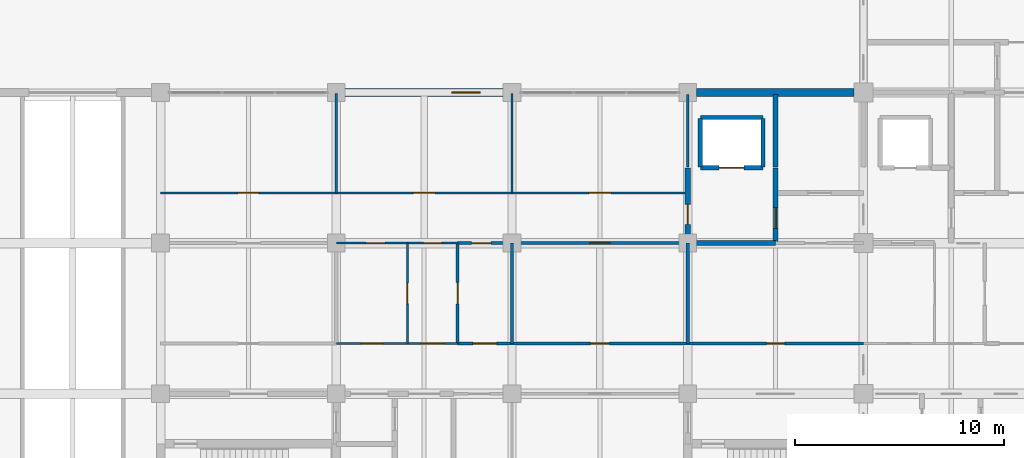
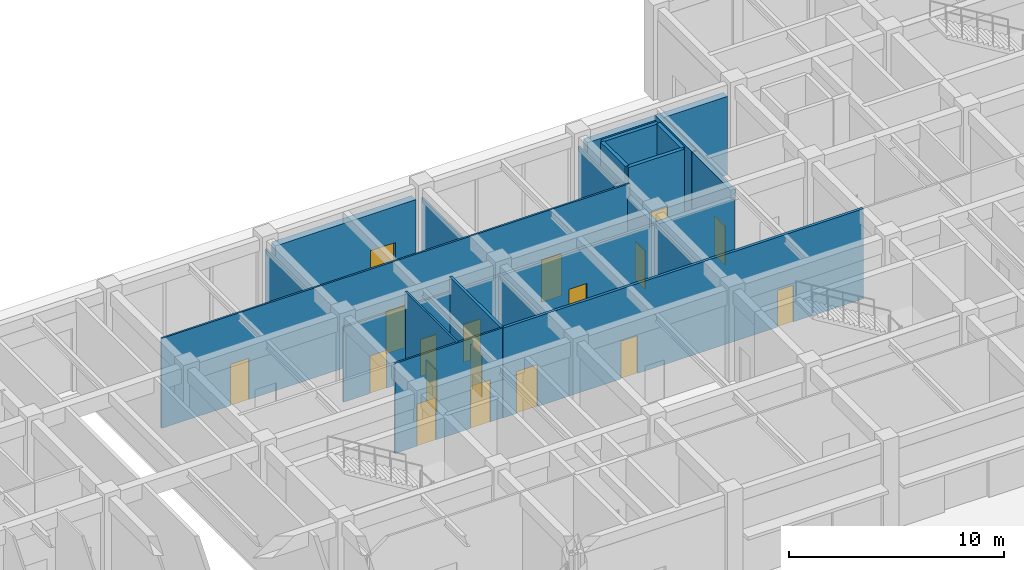
# One storey, part 44 of 73: 22 walls, 17 doors, 1 window, 18 openings.
"""IFC4 building model written with IfcOpenShell, lengths in metres."""

from ifc_helpers import new_model, si_unit, direction, frame, frame_2d, origin, place, context, subcontext, project, spatial, rectangle, extrude, material, layer, layer_set, type_object, element, fill, save


model = new_model("IFC4")

# Units and contexts
model_context = context("Model", 3, precision=1e-05, world=origin(), true_north=direction((0.0, 1.0)))
body_context = subcontext(model_context, "Body", "Model", "MODEL_VIEW")
ifc_project = project(units=[si_unit("LENGTHUNIT", "METRE"), si_unit("AREAUNIT", "SQUARE_METRE"), si_unit("VOLUMEUNIT", "CUBIC_METRE"), si_unit("PLANEANGLEUNIT", "RADIAN"), si_unit("MASSUNIT", "GRAM", prefix="KILO")], contexts=[model_context])

# Site, building, storey
site_placement = place(None, origin())
site = spatial("IfcSite", under=ifc_project, at=site_placement, CompositionType="ELEMENT")
building_placement = place(site_placement, origin())
building = spatial("IfcBuilding", under=site, at=building_placement, Name="Chengyuan Square Courthouse", CompositionType="ELEMENT")
storey_placement = place(building_placement, origin())
storey = spatial("IfcBuildingStorey", under=building, at=storey_placement, Name="L01", CompositionType="ELEMENT", Elevation=0.0)

# Wall, opening, window
ifc_material_1 = material(Name="Concrete C40", Category="concrete")
ifc_layer_1 = layer(ifc_material_1, 0.3798828125)
ifc_layer_set_1 = layer_set([ifc_layer_1], Name="Concrete C40")
wall_type_1 = type_object("IfcWallType", Name="WL-EW1", PredefinedType="STANDARD", material=ifc_layer_set_1)
wall_1_placement = place(storey_placement, frame((25.6201171875, 108.0, 0.0), z_axis=(0.0, 0.0, 1.0), x_axis=(1.0, 0.0, 0.0)))
wall_1 = element("IfcWall", 1, at=wall_1_placement, inside=storey, type_object=wall_type_1, Name="Exterior Wall WL-L01-E163", PredefinedType="STANDARD", context=body_context, shape_type="SweptSolid", body=[
    extrude(rectangle(XDim=7.559814453125, YDim=0.3798828125, at=frame_2d((3.77978515625, 0.0))), origin(), (0.0, 0.0, 1.0), 4.469970703125),
])
opening_1_placement = place(wall_1_placement, frame((5.10498046875, 0.0, 0.85009765625)))
opening_1 = element("IfcOpeningElement", 2, at=opening_1_placement, cuts=wall_1, Name="Opening WN-007", PredefinedType="OPENING", context=body_context, shape_type="SweptSolid", body=[
    extrude(rectangle(XDim=1.35009765625, YDim=1.56005859375, at=frame_2d((0.675048828125, 0.780029296875))), frame((0.0, 0.201904296875, 0.0), z_axis=(0.0, -1.0, 0.0), x_axis=(1.0, 0.0, 0.0)), (0.0, 0.0, 1.0), 0.40380859375),
])
ifc_material_2 = material(Name="Thermally Broken Aluminium Triple Low-E Window", Category="aluminium")
window_type = type_object("IfcWindowType", Name="WT-21", PartitioningType="SINGLE_PANEL", PredefinedType="WINDOW", material=ifc_material_2)
window_placement = place(opening_1_placement, origin())
window = element("IfcWindow", 3, at=window_placement, inside=storey, type_object=window_type, Name="Facade Window WN-007", OverallHeight=1.56005859375, OverallWidth=1.35009765625, PartitioningType="SINGLE_PANEL", PredefinedType="WINDOW", context=body_context, shape_type="SweptSolid", body=[
    extrude(rectangle(XDim=1.35009765625, YDim=1.56005859375, at=frame_2d((0.675048828125, 0.780029296875))), frame((0.0, 0.030029296875, 0.0), z_axis=(0.0, -1.0, 0.0), x_axis=(1.0, 0.0, 0.0)), (0.0, 0.0, 1.0), 0.06005859375),
])
fill(opening_1, window)

# Walls
wall_2_placement = place(storey_placement, frame((42.419921875, 108.0, 0.0), z_axis=(0.0, 0.0, 1.0), x_axis=(1.0, 0.0, 0.0)))
element("IfcWall", 4, at=wall_2_placement, inside=storey, type_object=wall_type_1, Name="Exterior Wall WL-L01-E166", PredefinedType="STANDARD", context=body_context, shape_type="SweptSolid", body=[
    extrude(rectangle(XDim=7.53515625, YDim=0.3798828125, at=frame_2d((3.767578125, 0.0))), origin(), (0.0, 0.0, 1.0), 4.469970703125),
])
ifc_layer_2 = layer(ifc_material_1, 0.25)
ifc_layer_set_2 = layer_set([ifc_layer_2], Name="Concrete C40")
wall_type_2 = type_object("IfcWallType", Name="WL-FW1", PredefinedType="STANDARD", material=ifc_layer_set_2)
wall_3_placement = place(storey_placement, frame((42.0, 100.800048828125, 0.0), z_axis=(0.0, 0.0, 1.0), x_axis=(1.0, 0.0, 0.0)))
element("IfcWall", 5, at=wall_3_placement, inside=storey, type_object=wall_type_2, Name="Interior Wall WL-L01-I754", PredefinedType="STANDARD", context=body_context, shape_type="SweptSolid", body=[
    extrude(rectangle(XDim=4.199951171875, YDim=0.25, at=frame_2d((2.10009765625, 0.0))), origin(), (0.0, 0.0, 1.0), 4.27001953125),
])

# Wall, opening, door
wall_4_placement = place(storey_placement, frame((42.0, 100.800048828125, 0.0), z_axis=(0.0, 0.0, 1.0), x_axis=(0.0, 1.0, 0.0)))
wall_4 = element("IfcWall", 6, at=wall_4_placement, inside=storey, type_object=wall_type_2, Name="Interior Wall WL-L01-I859", PredefinedType="STANDARD", context=body_context, shape_type="SweptSolid", body=[
    extrude(rectangle(XDim=3.599853515625, YDim=0.25, at=frame_2d((1.7998046875, 0.0))), origin(), (0.0, 0.0, 1.0), 4.3701171875),
])
opening_2_placement = place(wall_4_placement, frame((0.8974609375, 0.0, 0.0)))
opening_2 = element("IfcOpeningElement", 7, at=opening_2_placement, cuts=wall_4, Name="Opening DR-724", PredefinedType="OPENING", context=body_context, shape_type="SweptSolid", body=[
    extrude(rectangle(XDim=0.949951171875, YDim=2.14990234375, at=frame_2d((0.47509765625, 1.074951171875))), frame((0.0, 0.136962890625, 0.0), z_axis=(0.0, -1.0, 0.0), x_axis=(1.0, 0.0, 0.0)), (0.0, 0.0, 1.0), 0.27392578125),
])
ifc_material_3 = material(Name="Steel Q235B Fire Door", Category="steel")
door_type_1 = type_object("IfcDoorType", Name="DT-12", OperationType="NOTDEFINED", PredefinedType="DOOR", material=ifc_material_3)
door_1_placement = place(opening_2_placement, origin())
door_1 = element("IfcDoor", 8, at=door_1_placement, inside=storey, type_object=door_type_1, Name="Interior Door DR-724", OperationType="SINGLE_SWING_LEFT", OverallHeight=2.14990234375, OverallWidth=0.949951171875, PredefinedType="DOOR", context=body_context, shape_type="SweptSolid", body=[
    extrude(rectangle(XDim=0.949951171875, YDim=2.14990234375, at=frame_2d((0.47509765625, 1.074951171875))), frame((0.0, 0.02490234375, 0.0), z_axis=(0.0, -1.0, 0.0), x_axis=(1.0, 0.0, 0.0)), (0.0, 0.0, 1.0), 0.050048828125),
])
fill(opening_2, door_1)

wall_5_placement = place(storey_placement, frame((46.199951171875, 100.800048828125, 0.0), z_axis=(0.0, 0.0, 1.0), x_axis=(0.0, 1.0, 0.0)))
wall_5 = element("IfcWall", 9, at=wall_5_placement, inside=storey, type_object=wall_type_2, Name="Interior Wall WL-L01-I863", PredefinedType="STANDARD", context=body_context, shape_type="SweptSolid", body=[
    extrude(rectangle(XDim=3.599853515625, YDim=0.25, at=frame_2d((1.7998046875, 0.0))), origin(), (0.0, 0.0, 1.0), 4.719970703125),
])
opening_3_placement = place(wall_5_placement, frame((0.699951171875, 0.0, 0.0)))
opening_3 = element("IfcOpeningElement", 10, at=opening_3_placement, cuts=wall_5, Name="Opening DR-723", PredefinedType="OPENING", context=body_context, shape_type="SweptSolid", body=[
    extrude(rectangle(XDim=1.0, YDim=2.199951171875, at=frame_2d((0.5, 1.10009765625))), frame((0.0, 0.136962890625, 0.0), z_axis=(0.0, -1.0, 0.0), x_axis=(1.0, 0.0, 0.0)), (0.0, 0.0, 1.0), 0.27392578125),
])
door_type_2 = type_object("IfcDoorType", Name="DT-11", OperationType="NOTDEFINED", PredefinedType="DOOR", material=ifc_material_3)
door_2_placement = place(opening_3_placement, origin())
door_2 = element("IfcDoor", 11, at=door_2_placement, inside=storey, type_object=door_type_2, Name="Interior Door DR-723", OperationType="SINGLE_SWING_RIGHT", OverallHeight=2.199951171875, OverallWidth=1.0, PredefinedType="DOOR", context=body_context, shape_type="SweptSolid", body=[
    extrude(rectangle(XDim=1.0, YDim=2.199951171875, at=frame_2d((0.5, 1.10009765625))), frame((0.0, 0.02490234375, 0.0), z_axis=(0.0, -1.0, 0.0), x_axis=(1.0, 0.0, 0.0)), (0.0, 0.0, 1.0), 0.050048828125),
])
fill(opening_3, door_2)

# Wall
wall_6_placement = place(storey_placement, frame((46.199951171875, 104.449951171875, 0.0), z_axis=(0.0, 0.0, 1.0), x_axis=(0.0, 1.0, 0.0)))
element("IfcWall", 12, at=wall_6_placement, inside=storey, type_object=wall_type_2, Name="Interior Wall WL-L01-I864", PredefinedType="STANDARD", context=body_context, shape_type="SweptSolid", body=[
    extrude(rectangle(XDim=3.4599609375, YDim=0.25, at=frame_2d((1.72998046875, 0.0))), origin(), (0.0, 0.0, 1.0), 4.719970703125),
])

# Wall, openings, doors
ifc_material_4 = material(Name="Deliberation Room Sound-Insulated Partition")
ifc_layer_3 = layer(ifc_material_4, 0.14990234375)
ifc_layer_set_3 = layer_set([ifc_layer_3], Name="Deliberation Room Sound-Insulated Partition")
wall_type_3 = type_object("IfcWallType", Name="WL-PT3", PredefinedType="STANDARD", material=ifc_layer_set_3)
wall_7_placement = place(storey_placement, frame((31.0, 96.0, 0.0), z_axis=(0.0, 0.0, 1.0), x_axis=(1.0, 0.0, 0.0)))
wall_7 = element("IfcWall", 13, at=wall_7_placement, inside=storey, type_object=wall_type_3, Name="Interior Wall WL-L01-I738", PredefinedType="STANDARD", context=body_context, shape_type="SweptSolid", body=[
    extrude(rectangle(XDim=19.39990234375, YDim=0.14990234375, at=frame_2d((9.699951171875, 0.0))), origin(), (0.0, 0.0, 1.0), 5.1201171875),
])
opening_4_placement = place(wall_7_placement, frame((0.72998046875, 0.0, 0.0)))
opening_4 = element("IfcOpeningElement", 14, at=opening_4_placement, cuts=wall_7, Name="Opening DR-797", PredefinedType="OPENING", context=body_context, shape_type="SweptSolid", body=[
    extrude(rectangle(XDim=1.139892578125, YDim=2.39990234375, at=frame_2d((0.56982421875, 1.199951171875))), frame((0.0, 0.0869140625, 0.0), z_axis=(0.0, -1.0, 0.0), x_axis=(1.0, 0.0, 0.0)), (0.0, 0.0, 1.0), 0.173828125),
])
opening_5_placement = place(wall_7_placement, frame((6.35009765625, 0.0, 0.0)))
opening_5 = element("IfcOpeningElement", 15, at=opening_5_placement, cuts=wall_7, Name="Opening DR-798", PredefinedType="OPENING", context=body_context, shape_type="SweptSolid", body=[
    extrude(rectangle(XDim=0.89990234375, YDim=2.14990234375, at=frame_2d((0.449951171875, 1.074951171875))), frame((0.0, 0.0869140625, 0.0), z_axis=(0.0, -1.0, 0.0), x_axis=(1.0, 0.0, 0.0)), (0.0, 0.0, 1.0), 0.173828125),
])
opening_6_placement = place(wall_7_placement, frame((14.77001953125, 0.0, 0.0)))
opening_6 = element("IfcOpeningElement", 16, at=opening_6_placement, cuts=wall_7, Name="Opening DR-799", PredefinedType="OPENING", context=body_context, shape_type="SweptSolid", body=[
    extrude(rectangle(XDim=0.860107421875, YDim=2.10009765625, at=frame_2d((0.43017578125, 1.050048828125))), frame((0.0, 0.0869140625, 0.0), z_axis=(0.0, -1.0, 0.0), x_axis=(1.0, 0.0, 0.0)), (0.0, 0.0, 1.0), 0.173828125),
])
ifc_material_5 = material(Name="Acoustic Solid-Core Timber Door", Category="wood")
door_type_3 = type_object("IfcDoorType", Name="DT-27", OperationType="NOTDEFINED", PredefinedType="DOOR", material=ifc_material_5)
door_3_placement = place(opening_5_placement, origin())
door_3 = element("IfcDoor", 17, at=door_3_placement, inside=storey, type_object=door_type_3, Name="Interior Door DR-798", OperationType="SINGLE_SWING_RIGHT", OverallHeight=2.14990234375, OverallWidth=0.89990234375, PredefinedType="DOOR", context=body_context, shape_type="SweptSolid", body=[
    extrude(rectangle(XDim=0.89990234375, YDim=2.14990234375, at=frame_2d((0.449951171875, 1.074951171875))), frame((0.0, 0.02490234375, 0.0), z_axis=(0.0, -1.0, 0.0), x_axis=(1.0, 0.0, 0.0)), (0.0, 0.0, 1.0), 0.050048828125),
])
fill(opening_5, door_3)
door_type_4 = type_object("IfcDoorType", Name="DT-28", OperationType="NOTDEFINED", PredefinedType="DOOR", material=ifc_material_5)
door_4_placement = place(opening_6_placement, origin())
door_4 = element("IfcDoor", 18, at=door_4_placement, inside=storey, type_object=door_type_4, Name="Interior Door DR-799", OperationType="SINGLE_SWING_LEFT", OverallHeight=2.10009765625, OverallWidth=0.860107421875, PredefinedType="DOOR", context=body_context, shape_type="SweptSolid", body=[
    extrude(rectangle(XDim=0.860107421875, YDim=2.10009765625, at=frame_2d((0.43017578125, 1.050048828125))), frame((0.0, 0.02490234375, 0.0), z_axis=(0.0, -1.0, 0.0), x_axis=(1.0, 0.0, 0.0)), (0.0, 0.0, 1.0), 0.050048828125),
])
fill(opening_6, door_4)
door_type_5 = type_object("IfcDoorType", Name="DT-43", OperationType="NOTDEFINED", PredefinedType="DOOR", material=ifc_material_5)
door_5_placement = place(opening_4_placement, origin())
door_5 = element("IfcDoor", 19, at=door_5_placement, inside=storey, type_object=door_type_5, Name="Interior Door DR-797", OperationType="SINGLE_SWING_LEFT", OverallHeight=2.39990234375, OverallWidth=1.139892578125, PredefinedType="DOOR", context=body_context, shape_type="SweptSolid", body=[
    extrude(rectangle(XDim=1.139892578125, YDim=2.39990234375, at=frame_2d((0.56982421875, 1.199951171875))), frame((0.0, 0.02490234375, 0.0), z_axis=(0.0, -1.0, 0.0), x_axis=(1.0, 0.0, 0.0)), (0.0, 0.0, 1.0), 0.050048828125),
])
fill(opening_4, door_5)

wall_8_placement = place(storey_placement, frame((31.0, 100.800048828125, 0.0), z_axis=(0.0, 0.0, 1.0), x_axis=(1.0, 0.0, 0.0)))
wall_8 = element("IfcWall", 20, at=wall_8_placement, inside=storey, type_object=wall_type_3, Name="Interior Wall WL-L01-I753", PredefinedType="STANDARD", context=body_context, shape_type="SweptSolid", body=[
    extrude(rectangle(XDim=11.0, YDim=0.14990234375, at=frame_2d((5.5, 0.0))), origin(), (0.0, 0.0, 1.0), 4.27001953125),
])
opening_7_placement = place(wall_8_placement, frame((0.66748046875, 0.0, 0.0)))
opening_7 = element("IfcOpeningElement", 21, at=opening_7_placement, cuts=wall_8, Name="Opening DR-766", PredefinedType="OPENING", context=body_context, shape_type="SweptSolid", body=[
    extrude(rectangle(XDim=0.919921875, YDim=2.14990234375, at=frame_2d((0.4599609375, 1.074951171875))), frame((0.0, 0.0869140625, 0.0), z_axis=(0.0, -1.0, 0.0), x_axis=(1.0, 0.0, 0.0)), (0.0, 0.0, 1.0), 0.173828125),
])
opening_8_placement = place(wall_8_placement, frame((6.320068359375, 0.0, 0.0)))
opening_8 = element("IfcOpeningElement", 22, at=opening_8_placement, cuts=wall_8, Name="Opening DR-767", PredefinedType="OPENING", context=body_context, shape_type="SweptSolid", body=[
    extrude(rectangle(XDim=0.9599609375, YDim=2.199951171875, at=frame_2d((0.47998046875, 1.10009765625))), frame((0.0, 0.0869140625, 0.0), z_axis=(0.0, -1.0, 0.0), x_axis=(1.0, 0.0, 0.0)), (0.0, 0.0, 1.0), 0.173828125),
])
door_type_6 = type_object("IfcDoorType", Name="DT-29", OperationType="NOTDEFINED", PredefinedType="DOOR", material=ifc_material_5)
door_6_placement = place(opening_7_placement, origin())
door_6 = element("IfcDoor", 23, at=door_6_placement, inside=storey, type_object=door_type_6, Name="Interior Door DR-766", OperationType="SINGLE_SWING_RIGHT", OverallHeight=2.14990234375, OverallWidth=0.919921875, PredefinedType="DOOR", context=body_context, shape_type="SweptSolid", body=[
    extrude(rectangle(XDim=0.919921875, YDim=2.14990234375, at=frame_2d((0.4599609375, 1.074951171875))), frame((0.0, 0.02490234375, 0.0), z_axis=(0.0, -1.0, 0.0), x_axis=(1.0, 0.0, 0.0)), (0.0, 0.0, 1.0), 0.050048828125),
])
fill(opening_7, door_6)
door_type_7 = type_object("IfcDoorType", Name="DT-30", OperationType="NOTDEFINED", PredefinedType="DOOR", material=ifc_material_5)
door_7_placement = place(opening_8_placement, origin())
door_7 = element("IfcDoor", 24, at=door_7_placement, inside=storey, type_object=door_type_7, Name="Interior Door DR-767", OperationType="SINGLE_SWING_LEFT", OverallHeight=2.199951171875, OverallWidth=0.9599609375, PredefinedType="DOOR", context=body_context, shape_type="SweptSolid", body=[
    extrude(rectangle(XDim=0.9599609375, YDim=2.199951171875, at=frame_2d((0.47998046875, 1.10009765625))), frame((0.0, 0.02490234375, 0.0), z_axis=(0.0, -1.0, 0.0), x_axis=(1.0, 0.0, 0.0)), (0.0, 0.0, 1.0), 0.050048828125),
])
fill(opening_8, door_7)

# Wall, opening, door
wall_9_placement = place(storey_placement, frame((31.0, 96.0, 0.0), z_axis=(0.0, 0.0, 1.0), x_axis=(0.0, 1.0, 0.0)))
wall_9 = element("IfcWall", 25, at=wall_9_placement, inside=storey, type_object=wall_type_3, Name="Interior Wall WL-L01-I851", PredefinedType="STANDARD", context=body_context, shape_type="SweptSolid", body=[
    extrude(rectangle(XDim=4.800048828125, YDim=0.14990234375, at=frame_2d((2.39990234375, 0.0))), origin(), (0.0, 0.0, 1.0), 5.1201171875),
])
opening_9_placement = place(wall_9_placement, frame((1.889892578125, 0.0, 0.0)))
opening_9 = element("IfcOpeningElement", 26, at=opening_9_placement, cuts=wall_9, Name="Opening DR-846", PredefinedType="OPENING", context=body_context, shape_type="SweptSolid", body=[
    extrude(rectangle(XDim=1.02001953125, YDim=2.39990234375, at=frame_2d((0.510009765625, 1.199951171875))), frame((0.0, 0.0869140625, 0.0), z_axis=(0.0, -1.0, 0.0), x_axis=(1.0, 0.0, 0.0)), (0.0, 0.0, 1.0), 0.173828125),
])
door_type_8 = type_object("IfcDoorType", Name="DT-41", OperationType="NOTDEFINED", PredefinedType="DOOR", material=ifc_material_5)
door_8_placement = place(opening_9_placement, origin())
door_8 = element("IfcDoor", 27, at=door_8_placement, inside=storey, type_object=door_type_8, Name="Interior Door DR-846", OperationType="SINGLE_SWING_LEFT", OverallHeight=2.39990234375, OverallWidth=1.02001953125, PredefinedType="DOOR", context=body_context, shape_type="SweptSolid", body=[
    extrude(rectangle(XDim=1.02001953125, YDim=2.39990234375, at=frame_2d((0.510009765625, 1.199951171875))), frame((0.0, 0.02490234375, 0.0), z_axis=(0.0, -1.0, 0.0), x_axis=(1.0, 0.0, 0.0)), (0.0, 0.0, 1.0), 0.050048828125),
])
fill(opening_9, door_8)

# Walls
for number, where, z_axis, x_axis, name in (
    (28, (33.60009765625, 96.0, 0.0), (0.0, 0.0, 1.0), (0.0, 1.0, 0.0), "Interior Wall WL-L01-I854"),
    (29, (42.0, 96.0, 0.0), (0.0, 0.0, 1.0), (0.0, 1.0, 0.0), "Interior Wall WL-L01-I858"),
):
    element("IfcWall", number, at=place(storey_placement, frame(where, z_axis=z_axis, x_axis=x_axis)), inside=storey, type_object=wall_type_3, Name=name, PredefinedType="STANDARD", context=body_context, shape_type="SweptSolid", body=[
        extrude(rectangle(XDim=4.800048828125, YDim=0.14990234375, at=frame_2d((2.39990234375, 0.0))), origin(), (0.0, 0.0, 1.0), 4.3701171875),
    ])

# Wall, openings, doors
ifc_material_6 = material(Name="Gypsum Plasterboard Acoustic Stud Partition")
ifc_layer_4 = layer(ifc_material_6, 0.10009765625)
ifc_layer_set_4 = layer_set([ifc_layer_4], Name="Gypsum Plasterboard Acoustic Stud Partition")
wall_type_4 = type_object("IfcWallType", Name="WL-PT6", PredefinedType="STANDARD", material=ifc_layer_set_4)
wall_10_placement = place(storey_placement, frame((25.199951171875, 96.0, 0.0), z_axis=(0.0, 0.0, 1.0), x_axis=(1.0, 0.0, 0.0)))
wall_10 = element("IfcWall", 30, at=wall_10_placement, inside=storey, type_object=wall_type_4, Name="Interior Wall WL-L01-I737", PredefinedType="STANDARD", context=body_context, shape_type="SweptSolid", body=[
    extrude(rectangle(XDim=5.800048828125, YDim=0.10009765625, at=frame_2d((2.89990234375, 0.0))), origin(), (0.0, 0.0, 1.0), 5.1201171875),
])
opening_10_placement = place(wall_10_placement, frame((1.18994140625, 0.0, 0.0)))
opening_10 = element("IfcOpeningElement", 31, at=opening_10_placement, cuts=wall_10, Name="Opening DR-795", PredefinedType="OPENING", context=body_context, shape_type="SweptSolid", body=[
    extrude(rectangle(XDim=1.02001953125, YDim=2.39990234375, at=frame_2d((0.510009765625, 1.199951171875))), frame((0.0, 0.06201171875, 0.0), z_axis=(0.0, -1.0, 0.0), x_axis=(1.0, 0.0, 0.0)), (0.0, 0.0, 1.0), 0.1240234375),
])
opening_11_placement = place(wall_10_placement, frame((4.070068359375, 0.0, 0.0)))
opening_11 = element("IfcOpeningElement", 32, at=opening_11_placement, cuts=wall_10, Name="Opening DR-796", PredefinedType="OPENING", context=body_context, shape_type="SweptSolid", body=[
    extrude(rectangle(XDim=1.06005859375, YDim=2.39990234375, at=frame_2d((0.530029296875, 1.199951171875))), frame((0.0, 0.06201171875, 0.0), z_axis=(0.0, -1.0, 0.0), x_axis=(1.0, 0.0, 0.0)), (0.0, 0.0, 1.0), 0.1240234375),
])
door_9_placement = place(opening_10_placement, origin())
door_9 = element("IfcDoor", 33, at=door_9_placement, inside=storey, type_object=door_type_8, Name="Interior Door DR-795", OperationType="SINGLE_SWING_LEFT", OverallHeight=2.39990234375, OverallWidth=1.02001953125, PredefinedType="DOOR", context=body_context, shape_type="SweptSolid", body=[
    extrude(rectangle(XDim=1.02001953125, YDim=2.39990234375, at=frame_2d((0.510009765625, 1.199951171875))), frame((0.0, 0.02490234375, 0.0), z_axis=(0.0, -1.0, 0.0), x_axis=(1.0, 0.0, 0.0)), (0.0, 0.0, 1.0), 0.050048828125),
])
fill(opening_10, door_9)
door_type_9 = type_object("IfcDoorType", Name="DT-42", OperationType="NOTDEFINED", PredefinedType="DOOR", material=ifc_material_5)
door_10_placement = place(opening_11_placement, origin())
door_10 = element("IfcDoor", 34, at=door_10_placement, inside=storey, type_object=door_type_9, Name="Interior Door DR-796", OperationType="SINGLE_SWING_RIGHT", OverallHeight=2.39990234375, OverallWidth=1.06005859375, PredefinedType="DOOR", context=body_context, shape_type="SweptSolid", body=[
    extrude(rectangle(XDim=1.06005859375, YDim=2.39990234375, at=frame_2d((0.530029296875, 1.199951171875))), frame((0.0, 0.02490234375, 0.0), z_axis=(0.0, -1.0, 0.0), x_axis=(1.0, 0.0, 0.0)), (0.0, 0.0, 1.0), 0.050048828125),
])
fill(opening_11, door_10)

wall_11_placement = place(storey_placement, frame((25.199951171875, 100.800048828125, 0.0), z_axis=(0.0, 0.0, 1.0), x_axis=(1.0, 0.0, 0.0)))
wall_11 = element("IfcWall", 35, at=wall_11_placement, inside=storey, type_object=wall_type_4, Name="Interior Wall WL-L01-I752", PredefinedType="STANDARD", context=body_context, shape_type="SweptSolid", body=[
    extrude(rectangle(XDim=5.800048828125, YDim=0.10009765625, at=frame_2d((2.89990234375, 0.0))), origin(), (0.0, 0.0, 1.0), 4.27001953125),
])
opening_12_placement = place(wall_11_placement, frame((1.422607421875, 0.0, 0.0)))
opening_12 = element("IfcOpeningElement", 36, at=opening_12_placement, cuts=wall_11, Name="Opening DR-764", PredefinedType="OPENING", context=body_context, shape_type="SweptSolid", body=[
    extrude(rectangle(XDim=0.89990234375, YDim=2.14990234375, at=frame_2d((0.449951171875, 1.074951171875))), frame((0.0, 0.06201171875, 0.0), z_axis=(0.0, -1.0, 0.0), x_axis=(1.0, 0.0, 0.0)), (0.0, 0.0, 1.0), 0.1240234375),
])
opening_13_placement = place(wall_11_placement, frame((4.169921875, 0.0, 0.0)))
opening_13 = element("IfcOpeningElement", 37, at=opening_13_placement, cuts=wall_11, Name="Opening DR-765", PredefinedType="OPENING", context=body_context, shape_type="SweptSolid", body=[
    extrude(rectangle(XDim=0.860107421875, YDim=2.10009765625, at=frame_2d((0.43017578125, 1.050048828125))), frame((0.0, 0.06201171875, 0.0), z_axis=(0.0, -1.0, 0.0), x_axis=(1.0, 0.0, 0.0)), (0.0, 0.0, 1.0), 0.1240234375),
])
door_11_placement = place(opening_12_placement, origin())
door_11 = element("IfcDoor", 38, at=door_11_placement, inside=storey, type_object=door_type_3, Name="Interior Door DR-764", OperationType="SINGLE_SWING_RIGHT", OverallHeight=2.14990234375, OverallWidth=0.89990234375, PredefinedType="DOOR", context=body_context, shape_type="SweptSolid", body=[
    extrude(rectangle(XDim=0.89990234375, YDim=2.14990234375, at=frame_2d((0.449951171875, 1.074951171875))), frame((0.0, 0.02490234375, 0.0), z_axis=(0.0, -1.0, 0.0), x_axis=(1.0, 0.0, 0.0)), (0.0, 0.0, 1.0), 0.050048828125),
])
fill(opening_12, door_11)
door_12_placement = place(opening_13_placement, origin())
door_12 = element("IfcDoor", 39, at=door_12_placement, inside=storey, type_object=door_type_4, Name="Interior Door DR-765", OperationType="SINGLE_SWING_LEFT", OverallHeight=2.10009765625, OverallWidth=0.860107421875, PredefinedType="DOOR", context=body_context, shape_type="SweptSolid", body=[
    extrude(rectangle(XDim=0.860107421875, YDim=2.10009765625, at=frame_2d((0.43017578125, 1.050048828125))), frame((0.0, 0.02490234375, 0.0), z_axis=(0.0, -1.0, 0.0), x_axis=(1.0, 0.0, 0.0)), (0.0, 0.0, 1.0), 0.050048828125),
])
fill(opening_13, door_12)

wall_12_placement = place(storey_placement, frame((16.800048828125, 103.199951171875, 0.0), z_axis=(0.0, 0.0, 1.0), x_axis=(1.0, 0.0, 0.0)))
wall_12 = element("IfcWall", 40, at=wall_12_placement, inside=storey, type_object=wall_type_4, Name="Interior Wall WL-L01-I771", PredefinedType="STANDARD", context=body_context, shape_type="SweptSolid", body=[
    extrude(rectangle(XDim=25.199951171875, YDim=0.10009765625, at=frame_2d((12.60009765625, 0.0))), origin(), (0.0, 0.0, 1.0), 5.1201171875),
])
opening_14_placement = place(wall_12_placement, frame((3.7099609375, 0.0, 0.0)))
opening_14 = element("IfcOpeningElement", 41, at=opening_14_placement, cuts=wall_12, Name="Opening DR-760", PredefinedType="OPENING", context=body_context, shape_type="SweptSolid", body=[
    extrude(rectangle(XDim=0.97998046875, YDim=2.35009765625, at=frame_2d((0.489990234375, 1.175048828125))), frame((0.0, 0.06201171875, 0.0), z_axis=(0.0, -1.0, 0.0), x_axis=(1.0, 0.0, 0.0)), (0.0, 0.0, 1.0), 0.1240234375),
])
opening_15_placement = place(wall_12_placement, frame((12.090087890625, 0.0, 0.0)))
opening_15 = element("IfcOpeningElement", 42, at=opening_15_placement, cuts=wall_12, Name="Opening DR-761", PredefinedType="OPENING", context=body_context, shape_type="SweptSolid", body=[
    extrude(rectangle(XDim=1.02001953125, YDim=2.39990234375, at=frame_2d((0.510009765625, 1.199951171875))), frame((0.0, 0.06201171875, 0.0), z_axis=(0.0, -1.0, 0.0), x_axis=(1.0, 0.0, 0.0)), (0.0, 0.0, 1.0), 0.1240234375),
])
opening_16_placement = place(wall_12_placement, frame((20.469970703125, 0.0, 0.0)))
opening_16 = element("IfcOpeningElement", 43, at=opening_16_placement, cuts=wall_12, Name="Opening DR-762", PredefinedType="OPENING", context=body_context, shape_type="SweptSolid", body=[
    extrude(rectangle(XDim=1.06005859375, YDim=2.39990234375, at=frame_2d((0.530029296875, 1.199951171875))), frame((0.0, 0.06201171875, 0.0), z_axis=(0.0, -1.0, 0.0), x_axis=(1.0, 0.0, 0.0)), (0.0, 0.0, 1.0), 0.1240234375),
])
door_type_10 = type_object("IfcDoorType", Name="DT-40", OperationType="NOTDEFINED", PredefinedType="DOOR", material=ifc_material_5)
door_13_placement = place(opening_14_placement, origin())
door_13 = element("IfcDoor", 44, at=door_13_placement, inside=storey, type_object=door_type_10, Name="Interior Door DR-760", OperationType="SINGLE_SWING_RIGHT", OverallHeight=2.35009765625, OverallWidth=0.97998046875, PredefinedType="DOOR", context=body_context, shape_type="SweptSolid", body=[
    extrude(rectangle(XDim=0.97998046875, YDim=2.35009765625, at=frame_2d((0.489990234375, 1.175048828125))), frame((0.0, 0.02490234375, 0.0), z_axis=(0.0, -1.0, 0.0), x_axis=(1.0, 0.0, 0.0)), (0.0, 0.0, 1.0), 0.050048828125),
])
fill(opening_14, door_13)
door_14_placement = place(opening_15_placement, origin())
door_14 = element("IfcDoor", 45, at=door_14_placement, inside=storey, type_object=door_type_8, Name="Interior Door DR-761", OperationType="SINGLE_SWING_LEFT", OverallHeight=2.39990234375, OverallWidth=1.02001953125, PredefinedType="DOOR", context=body_context, shape_type="SweptSolid", body=[
    extrude(rectangle(XDim=1.02001953125, YDim=2.39990234375, at=frame_2d((0.510009765625, 1.199951171875))), frame((0.0, 0.02490234375, 0.0), z_axis=(0.0, -1.0, 0.0), x_axis=(1.0, 0.0, 0.0)), (0.0, 0.0, 1.0), 0.050048828125),
])
fill(opening_15, door_14)
door_15_placement = place(opening_16_placement, origin())
door_15 = element("IfcDoor", 46, at=door_15_placement, inside=storey, type_object=door_type_9, Name="Interior Door DR-762", OperationType="SINGLE_SWING_RIGHT", OverallHeight=2.39990234375, OverallWidth=1.06005859375, PredefinedType="DOOR", context=body_context, shape_type="SweptSolid", body=[
    extrude(rectangle(XDim=1.06005859375, YDim=2.39990234375, at=frame_2d((0.530029296875, 1.199951171875))), frame((0.0, 0.02490234375, 0.0), z_axis=(0.0, -1.0, 0.0), x_axis=(1.0, 0.0, 0.0)), (0.0, 0.0, 1.0), 0.050048828125),
])
fill(opening_16, door_15)

# Wall
wall_13_placement = place(storey_placement, frame((25.199951171875, 103.199951171875, 0.0), z_axis=(0.0, 0.0, 1.0), x_axis=(0.0, 1.0, 0.0)))
element("IfcWall", 47, at=wall_13_placement, inside=storey, type_object=wall_type_4, Name="Interior Wall WL-L01-I847", PredefinedType="STANDARD", context=body_context, shape_type="SweptSolid", body=[
    extrude(rectangle(XDim=4.760009765625, YDim=0.10009765625, at=frame_2d((2.3798828125, 0.0))), origin(), (0.0, 0.0, 1.0), 4.3701171875),
])

# Wall, opening, door
wall_14_placement = place(storey_placement, frame((28.60009765625, 96.0, 0.0), z_axis=(0.0, 0.0, 1.0), x_axis=(0.0, 1.0, 0.0)))
wall_14 = element("IfcWall", 48, at=wall_14_placement, inside=storey, type_object=wall_type_4, Name="Interior Wall WL-L01-I849", PredefinedType="STANDARD", context=body_context, shape_type="SweptSolid", body=[
    extrude(rectangle(XDim=4.800048828125, YDim=0.10009765625, at=frame_2d((2.39990234375, 0.0))), origin(), (0.0, 0.0, 1.0), 5.1201171875),
])
opening_17_placement = place(wall_14_placement, frame((1.909912109375, 0.0, 0.0)))
opening_17 = element("IfcOpeningElement", 49, at=opening_17_placement, cuts=wall_14, Name="Opening DR-845", PredefinedType="OPENING", context=body_context, shape_type="SweptSolid", body=[
    extrude(rectangle(XDim=0.97998046875, YDim=2.35009765625, at=frame_2d((0.489990234375, 1.175048828125))), frame((0.0, 0.06201171875, 0.0), z_axis=(0.0, -1.0, 0.0), x_axis=(1.0, 0.0, 0.0)), (0.0, 0.0, 1.0), 0.1240234375),
])
door_16_placement = place(opening_17_placement, origin())
door_16 = element("IfcDoor", 50, at=door_16_placement, inside=storey, type_object=door_type_10, Name="Interior Door DR-845", OperationType="SINGLE_SWING_RIGHT", OverallHeight=2.35009765625, OverallWidth=0.97998046875, PredefinedType="DOOR", context=body_context, shape_type="SweptSolid", body=[
    extrude(rectangle(XDim=0.97998046875, YDim=2.35009765625, at=frame_2d((0.489990234375, 1.175048828125))), frame((0.0, 0.02490234375, 0.0), z_axis=(0.0, -1.0, 0.0), x_axis=(1.0, 0.0, 0.0)), (0.0, 0.0, 1.0), 0.050048828125),
])
fill(opening_17, door_16)

# Walls
wall_15_placement = place(storey_placement, frame((33.60009765625, 103.199951171875, 0.0), z_axis=(0.0, 0.0, 1.0), x_axis=(0.0, 1.0, 0.0)))
element("IfcWall", 51, at=wall_15_placement, inside=storey, type_object=wall_type_4, Name="Interior Wall WL-L01-I855", PredefinedType="STANDARD", context=body_context, shape_type="SweptSolid", body=[
    extrude(rectangle(XDim=4.760009765625, YDim=0.10009765625, at=frame_2d((2.3798828125, 0.0))), origin(), (0.0, 0.0, 1.0), 4.3701171875),
])
wall_16_placement = place(storey_placement, frame((42.0, 104.449951171875, 0.0), z_axis=(0.0, 0.0, 1.0), x_axis=(0.0, 1.0, 0.0)))
element("IfcWall", 52, at=wall_16_placement, inside=storey, type_object=wall_type_4, Name="Interior Wall WL-L01-I860", PredefinedType="STANDARD", context=body_context, shape_type="SweptSolid", body=[
    extrude(rectangle(XDim=3.4599609375, YDim=0.10009765625, at=frame_2d((1.72998046875, 0.0))), origin(), (0.0, 0.0, 1.0), 4.3701171875),
])

# Wall, opening, door
ifc_material_7 = material(Name="Reinforced Masonry Shaft Enclosure", Category="masonry")
ifc_layer_5 = layer(ifc_material_7, 0.199951171875)
ifc_layer_set_5 = layer_set([ifc_layer_5], Name="Reinforced Masonry Shaft Enclosure")
wall_type_5 = type_object("IfcWallType", Name="WL-SH1", PredefinedType="STANDARD", material=ifc_layer_set_5)
wall_17_placement = place(storey_placement, frame((42.60009765625, 104.39990234375, 0.0), z_axis=(0.0, 0.0, 1.0), x_axis=(1.0, 0.0, 0.0)))
wall_17 = element("IfcWall", 53, at=wall_17_placement, inside=storey, type_object=wall_type_5, Name="Interior Wall WL-L01-I781", PredefinedType="STANDARD", context=body_context, shape_type="SweptSolid", body=[
    extrude(rectangle(XDim=3.0, YDim=0.199951171875, at=frame_2d((1.5, 0.0))), origin(), (0.0, 0.0, 1.0), 5.1201171875),
])
opening_18_placement = place(wall_17_placement, frame((0.89990234375, 0.0, 0.0)))
opening_18 = element("IfcOpeningElement", 54, at=opening_18_placement, cuts=wall_17, Name="Opening LD-023", PredefinedType="OPENING", context=body_context, shape_type="SweptSolid", body=[
    extrude(rectangle(XDim=1.199951171875, YDim=2.14990234375, at=frame_2d((0.60009765625, 1.074951171875))), frame((0.0, 0.112060546875, 0.0), z_axis=(0.0, -1.0, 0.0), x_axis=(1.0, 0.0, 0.0)), (0.0, 0.0, 1.0), 0.223876953125),
])
ifc_material_8 = material(Name="Stainless Steel S30408 Lift Landing Door", Category="steel")
door_type_11 = type_object("IfcDoorType", Name="DT-05", OperationType="DOUBLE_DOOR_SLIDING", PredefinedType="DOOR", material=ifc_material_8)
door_17_placement = place(opening_18_placement, origin())
door_17 = element("IfcDoor", 55, at=door_17_placement, inside=storey, type_object=door_type_11, Name="Lift Landing Door LF-F3 L01", OperationType="DOUBLE_DOOR_SLIDING", OverallHeight=2.14990234375, OverallWidth=1.199951171875, PredefinedType="DOOR", context=body_context, shape_type="SweptSolid", body=[
    extrude(rectangle(XDim=1.199951171875, YDim=2.14990234375, at=frame_2d((0.60009765625, 1.074951171875))), frame((0.0, 0.02490234375, 0.0), z_axis=(0.0, -1.0, 0.0), x_axis=(1.0, 0.0, 0.0)), (0.0, 0.0, 1.0), 0.050048828125),
])
fill(opening_18, door_17)

# Walls
wall_18_placement = place(storey_placement, frame((42.60009765625, 106.800048828125, 0.0), z_axis=(0.0, 0.0, 1.0), x_axis=(1.0, 0.0, 0.0)))
element("IfcWall", 56, at=wall_18_placement, inside=storey, type_object=wall_type_5, Name="Interior Wall WL-L01-I794", PredefinedType="STANDARD", context=body_context, shape_type="SweptSolid", body=[
    extrude(rectangle(XDim=3.0, YDim=0.199951171875, at=frame_2d((1.5, 0.0))), origin(), (0.0, 0.0, 1.0), 5.1201171875),
])
for number, where, z_axis, x_axis, name in (
    (57, (42.60009765625, 104.449951171875, 0.0), (0.0, 0.0, 1.0), (0.0, 1.0, 0.0), "Interior Wall WL-L01-I861"),
    (58, (45.60009765625, 104.449951171875, 0.0), (0.0, 0.0, 1.0), (0.0, 1.0, 0.0), "Interior Wall WL-L01-I862"),
):
    element("IfcWall", number, at=place(storey_placement, frame(where, z_axis=z_axis, x_axis=x_axis)), inside=storey, type_object=wall_type_5, Name=name, PredefinedType="STANDARD", context=body_context, shape_type="SweptSolid", body=[
        extrude(rectangle(XDim=2.300048828125, YDim=0.199951171875, at=frame_2d((1.14990234375, 0.0))), origin(), (0.0, 0.0, 1.0), 5.1201171875),
    ])

save(model, "model.ifc")
